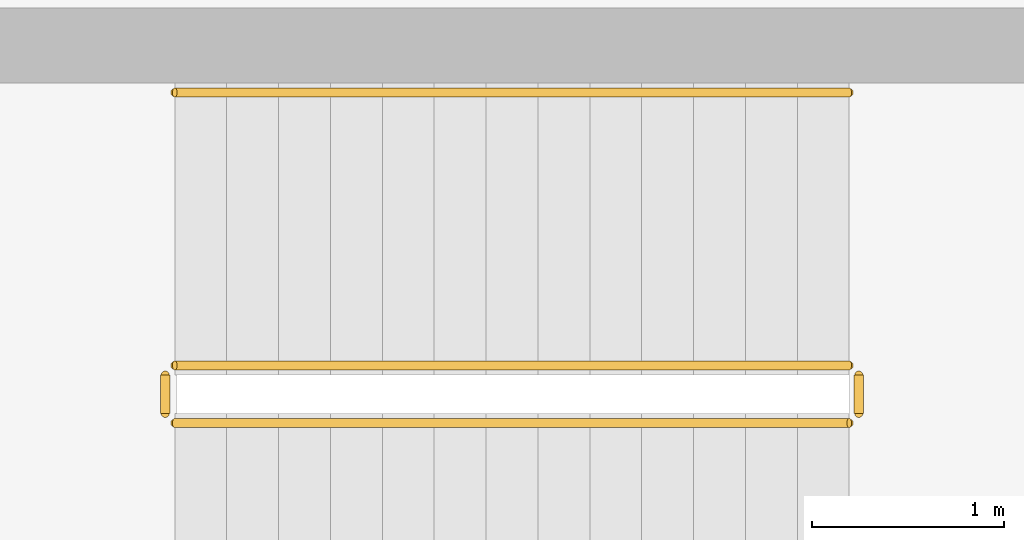
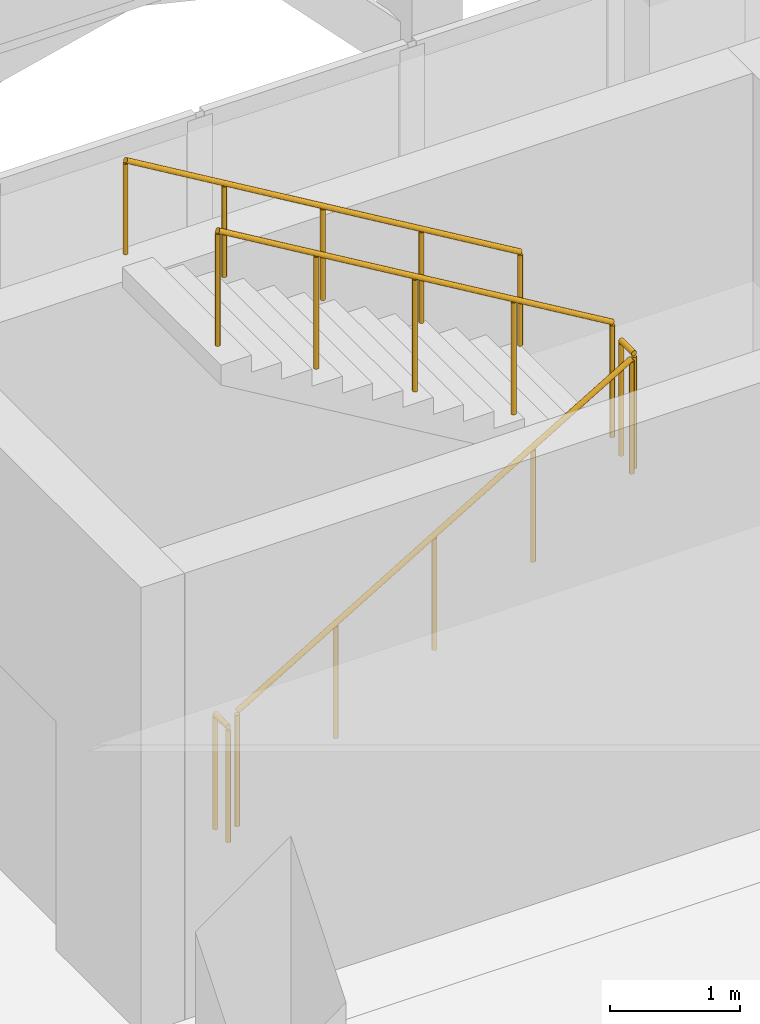
# One storey, part 123 of 129: 5 railings.
"""IFC4 building model written with IfcOpenShell, lengths in metres."""

from ifc_helpers import new_model, si_unit, direction, frame, origin, origin_2d, place, context, subcontext, project, spatial, circle, extrude, material, type_object, element, save


model = new_model("IFC4")

# Units and contexts
model_context = context("Model", 3, precision=1e-05, world=origin(), true_north=direction((0.0, 1.0)))
body_context = subcontext(model_context, "Body", "Model", "MODEL_VIEW")
ifc_project = project(units=[si_unit("LENGTHUNIT", "METRE"), si_unit("AREAUNIT", "SQUARE_METRE"), si_unit("VOLUMEUNIT", "CUBIC_METRE"), si_unit("PLANEANGLEUNIT", "RADIAN"), si_unit("MASSUNIT", "GRAM", prefix="KILO")], contexts=[model_context])

# Site, building, storey
site_placement = place(None, origin())
site = spatial("IfcSite", under=ifc_project, at=site_placement, CompositionType="ELEMENT")
building_placement = place(site_placement, origin())
building = spatial("IfcBuilding", under=site, at=building_placement, Name="Xazarin Passage Department Store", CompositionType="ELEMENT")
storey_placement = place(building_placement, frame((0.0, 0.0, 9.89990234375)))
storey = spatial("IfcBuildingStorey", under=building, at=storey_placement, Name="L02", CompositionType="ELEMENT", Elevation=9.89990234375)

# Railings
ifc_material = material(Name="Steel S355", Category="steel")
railing_type_1 = type_object("IfcRailingType", Name="ARC-RL-GRD112", PredefinedType="GUARDRAIL", material=ifc_material)
railing_1_placement = place(storey_placement, frame((27.239990234375, 105.64990234375, 0.160888671875)))
element("IfcRailing", 1, at=railing_1_placement, inside=storey, type_object=railing_type_1, Name="L02 ST2 stair guard 1", PredefinedType="GUARDRAIL", context=body_context, shape_type="SweptSolid", body=[
    extrude(circle(Radius=0.02392578125, at=origin_2d()), frame((0.0, 0.0, 1.076171875), z_axis=(0.859312273368, 0.0, 0.511451284914), x_axis=(0.0, 1.0, 0.0)), (0.0, 0.0, 1.0), 4.084716796875),
    extrude(circle(Radius=0.02099609375, at=origin_2d()), origin(), (0.0, 0.0, 1.0), 1.0517578125),
    extrude(circle(Radius=0.02099609375, at=origin_2d()), frame((0.87744140625, 0.0, 0.522216796875)), (0.0, 0.0, 1.0), 1.0517578125),
    extrude(circle(Radius=0.02099609375, at=origin_2d()), frame((1.7548828125, 0.0, 1.04443359375)), (0.0, 0.0, 1.0), 1.0517578125),
    extrude(circle(Radius=0.02099609375, at=origin_2d()), frame((2.632568359375, 0.0, 1.56689453125)), (0.0, 0.0, 1.0), 1.0517578125),
    extrude(circle(Radius=0.02099609375, at=origin_2d()), frame((3.510009765625, 0.0, 2.089111328125)), (0.0, 0.0, 1.0), 1.0517578125),
])
railing_2_placement = place(storey_placement, frame((30.800048828125, 105.699951171875, 2.25)))
element("IfcRailing", 2, at=railing_2_placement, inside=storey, type_object=railing_type_1, Name="L02 ST2 stair guard 2", PredefinedType="GUARDRAIL", context=body_context, shape_type="SweptSolid", body=[
    extrude(circle(Radius=0.02392578125, at=origin_2d()), frame((0.0, 0.0, 1.076171875), z_axis=(0.0, 1.0, 0.0), x_axis=(-1.0, 0.0, 0.0)), (0.0, 0.0, 1.0), 0.199951171875),
    extrude(circle(Radius=0.02099609375, at=origin_2d()), origin(), (0.0, 0.0, 1.0), 1.0517578125),
    extrude(circle(Radius=0.02099609375, at=origin_2d()), frame((0.0, 0.199951171875, 0.0)), (0.0, 0.0, 1.0), 1.0517578125),
])
railing_3_placement = place(storey_placement, frame((30.75, 105.949951171875, 2.410888671875)))
element("IfcRailing", 3, at=railing_3_placement, inside=storey, type_object=railing_type_1, Name="L02 ST2 stair guard 3", PredefinedType="GUARDRAIL", context=body_context, shape_type="SweptSolid", body=[
    extrude(circle(Radius=0.02392578125, at=origin_2d()), frame((0.0, 0.0, 1.076171875), z_axis=(-0.859312273368, 0.0, 0.511451284914), x_axis=(0.0, -1.0, 0.0)), (0.0, 0.0, 1.0), 4.084716796875),
    extrude(circle(Radius=0.02099609375, at=origin_2d()), origin(), (0.0, 0.0, 1.0), 1.0517578125),
    extrude(circle(Radius=0.02099609375, at=origin_2d()), frame((-0.87744140625, 0.0, 0.522216796875)), (0.0, 0.0, 1.0), 1.0517578125),
    extrude(circle(Radius=0.02099609375, at=origin_2d()), frame((-1.7548828125, 0.0, 1.04443359375)), (0.0, 0.0, 1.0), 1.0517578125),
    extrude(circle(Radius=0.02099609375, at=origin_2d()), frame((-2.632568359375, 0.0, 1.56689453125)), (0.0, 0.0, 1.0), 1.0517578125),
    extrude(circle(Radius=0.02099609375, at=origin_2d()), frame((-3.510009765625, 0.0, 2.089111328125)), (0.0, 0.0, 1.0), 1.0517578125),
])
railing_4_placement = place(storey_placement, frame((27.18994140625, 105.699951171875, 0.0)))
element("IfcRailing", 4, at=railing_4_placement, inside=storey, type_object=railing_type_1, Name="L02 ST2 stair guard 4", PredefinedType="GUARDRAIL", context=body_context, shape_type="SweptSolid", body=[
    extrude(circle(Radius=0.02392578125, at=origin_2d()), frame((0.0, 0.0, 1.076171875), z_axis=(0.0, 1.0, 0.0), x_axis=(-1.0, 0.0, 0.0)), (0.0, 0.0, 1.0), 0.199951171875),
    extrude(circle(Radius=0.02099609375, at=origin_2d()), origin(), (0.0, 0.0, 1.0), 1.0517578125),
    extrude(circle(Radius=0.02099609375, at=origin_2d()), frame((0.0, 0.199951171875, 0.0)), (0.0, 0.0, 1.0), 1.0517578125),
])
railing_type_2 = type_object("IfcRailingType", Name="ARC-RL-HND090", PredefinedType="HANDRAIL", material=ifc_material)
railing_5_placement = place(storey_placement, frame((30.75, 107.3701171875, 2.410888671875)))
element("IfcRailing", 5, at=railing_5_placement, inside=storey, type_object=railing_type_2, Name="L02 ST2 stair handrail 2", PredefinedType="HANDRAIL", context=body_context, shape_type="SweptSolid", body=[
    extrude(circle(Radius=0.02392578125, at=origin_2d()), frame((0.0, 0.0, 0.8759765625), z_axis=(-0.859312273368, 0.0, 0.511451284914), x_axis=(0.0, -1.0, 0.0)), (0.0, 0.0, 1.0), 4.084716796875),
    extrude(circle(Radius=0.02099609375, at=origin_2d()), origin(), (0.0, 0.0, 1.0), 0.8515625),
    extrude(circle(Radius=0.02099609375, at=origin_2d()), frame((-0.87744140625, 0.0, 0.522216796875)), (0.0, 0.0, 1.0), 0.8515625),
    extrude(circle(Radius=0.02099609375, at=origin_2d()), frame((-1.7548828125, 0.0, 1.04443359375)), (0.0, 0.0, 1.0), 0.8515625),
    extrude(circle(Radius=0.02099609375, at=origin_2d()), frame((-2.632568359375, 0.0, 1.56689453125)), (0.0, 0.0, 1.0), 0.8515625),
    extrude(circle(Radius=0.02099609375, at=origin_2d()), frame((-3.510009765625, 0.0, 2.089111328125)), (0.0, 0.0, 1.0), 0.8515625),
])

save(model, "model.ifc")
